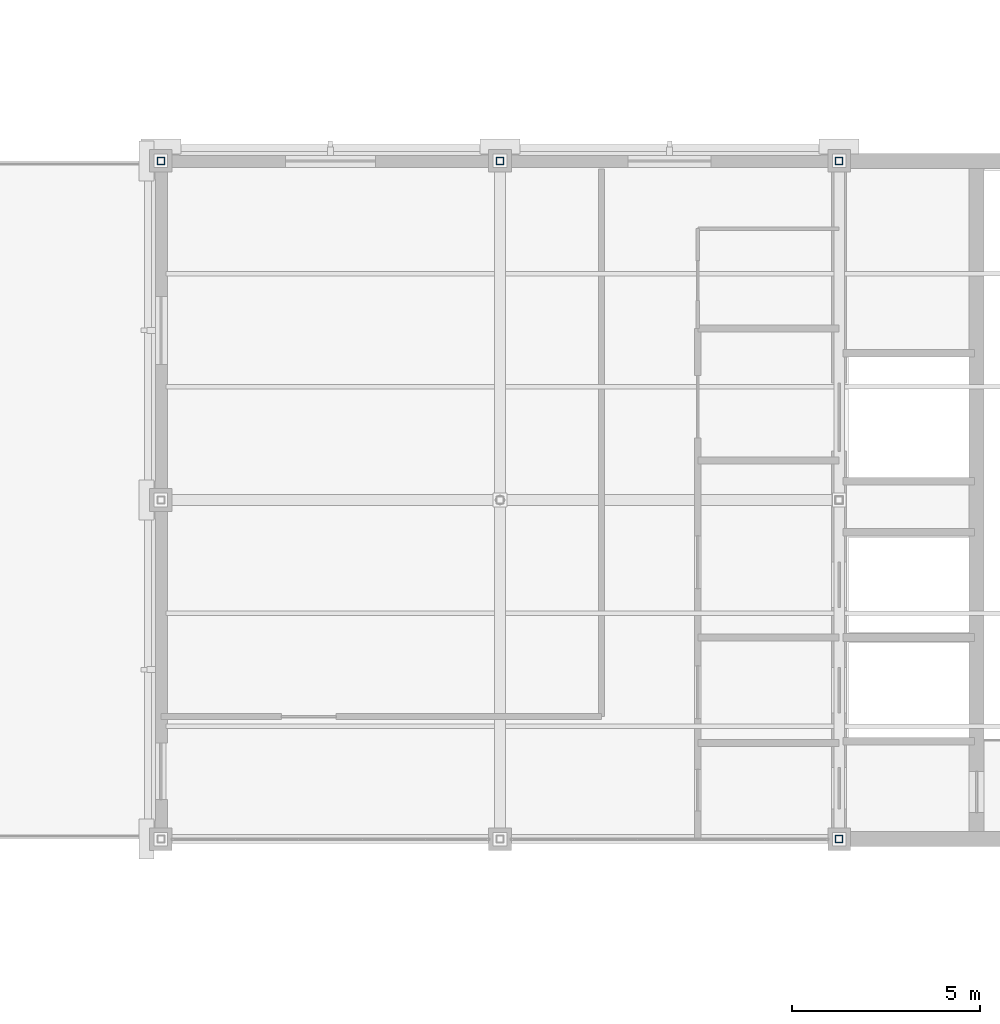
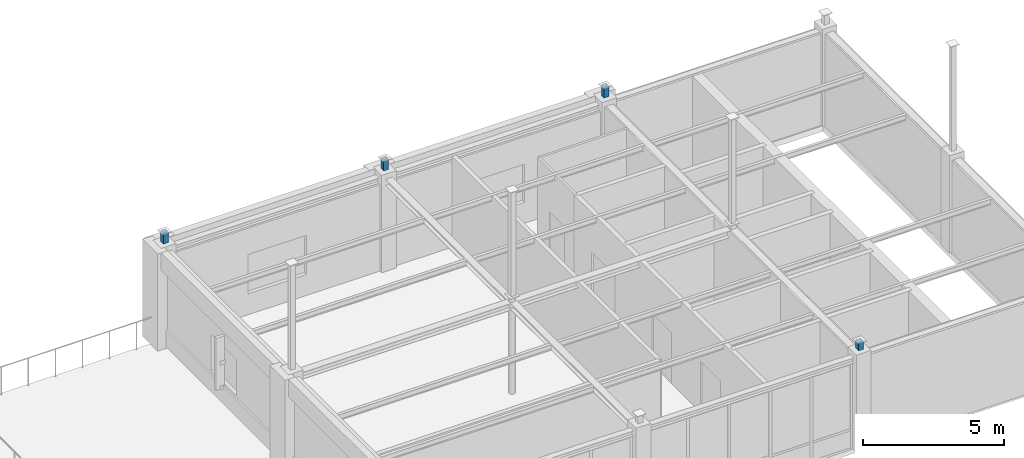
# One storey, part 70 of 97: 4 members.
"""IFC4 building model written with IfcOpenShell, lengths in metres."""

from ifc_helpers import new_model, si_unit, direction, frame, origin, origin_2d, place, context, subcontext, project, spatial, hollow_rectangle, extrude, material, material_profile, profile_set, type_object, element, save


model = new_model("IFC4")

# Units and contexts
model_context = context("Model", 3, precision=1e-05, world=origin(), true_north=direction((0.0, 1.0)))
body_context = subcontext(model_context, "Body", "Model", "MODEL_VIEW")
ifc_project = project(units=[si_unit("LENGTHUNIT", "METRE"), si_unit("AREAUNIT", "SQUARE_METRE"), si_unit("VOLUMEUNIT", "CUBIC_METRE"), si_unit("PLANEANGLEUNIT", "RADIAN"), si_unit("MASSUNIT", "GRAM", prefix="KILO")], contexts=[model_context])

# Site, building, storey
site_placement = place(None, origin())
site = spatial("IfcSite", under=ifc_project, at=site_placement, CompositionType="ELEMENT")
building_placement = place(site_placement, origin())
building = spatial("IfcBuilding", under=site, at=building_placement, Name="Lykobir Media Centre", CompositionType="ELEMENT")
storey_placement = place(building_placement, frame((0.0, 0.0, 23.39990234375)))
storey = spatial("IfcBuildingStorey", under=building, at=storey_placement, Name="L05", CompositionType="ELEMENT", Elevation=23.39990234375)

# Members
ifc_material = material(Name="Steel S355", Category="steel")
ifc_material_profile = material_profile(ifc_material, hollow_rectangle(XDim=0.199951171875, YDim=0.199951171875, WallThickness=0.010009765625, at=origin_2d()), Name="SHS 200x200x10")
ifc_profile_set = profile_set([ifc_material_profile], Name="Steel S355")
member_type = type_object("IfcMemberType", Name="TC-SHS200", PredefinedType="CHORD", material=ifc_profile_set)
for number, where, z_axis, x_axis, name in (
    (1, (108.0, 90.0, 4.2001953125), (0.0, 0.0, 1.0), (1.0, 0.0, 0.0), "Truss chord MEM2-L05-1080-0900-0276-1080-0900-0033"),
    (2, (117.0, 90.0, 4.2001953125), (0.0, 0.0, 1.0), (1.0, 0.0, 0.0), "Truss chord MEM2-L05-1170-0900-0276-1170-0900-0036"),
):
    element("IfcMember", number, at=place(storey_placement, frame(where, z_axis=z_axis, x_axis=x_axis)), inside=storey, type_object=member_type, Name=name, PredefinedType="CHORD", context=body_context, shape_type="SweptSolid", body=[
        extrude(hollow_rectangle(XDim=0.199951171875, YDim=0.199951171875, WallThickness=0.010009765625, at=origin_2d()), origin(), (0.0, 0.0, 1.0), 0.47314453125),
    ])
member_1_placement = place(storey_placement, frame((126.0, 72.0, 4.2001953125), z_axis=(0.0, 0.0, 1.0), x_axis=(1.0, 0.0, 0.0)))
element("IfcMember", 3, at=member_1_placement, inside=storey, type_object=member_type, Name="Truss chord MEM2-L05-1260-0720-0276-1260-0720-0037", PredefinedType="CHORD", context=body_context, shape_type="SweptSolid", body=[
    extrude(hollow_rectangle(XDim=0.199951171875, YDim=0.199951171875, WallThickness=0.010009765625, at=origin_2d()), origin(), (0.0, 0.0, 1.0), 0.3798828125),
])
member_2_placement = place(storey_placement, frame((126.0, 90.0, 4.2001953125), z_axis=(0.0, 0.0, 1.0), x_axis=(1.0, 0.0, 0.0)))
element("IfcMember", 4, at=member_2_placement, inside=storey, type_object=member_type, Name="Truss chord MEM2-L05-1260-0900-0276-1260-0900-0039", PredefinedType="CHORD", context=body_context, shape_type="SweptSolid", body=[
    extrude(hollow_rectangle(XDim=0.199951171875, YDim=0.199951171875, WallThickness=0.010009765625, at=origin_2d()), origin(), (0.0, 0.0, 1.0), 0.47314453125),
])

save(model, "model.ifc")
